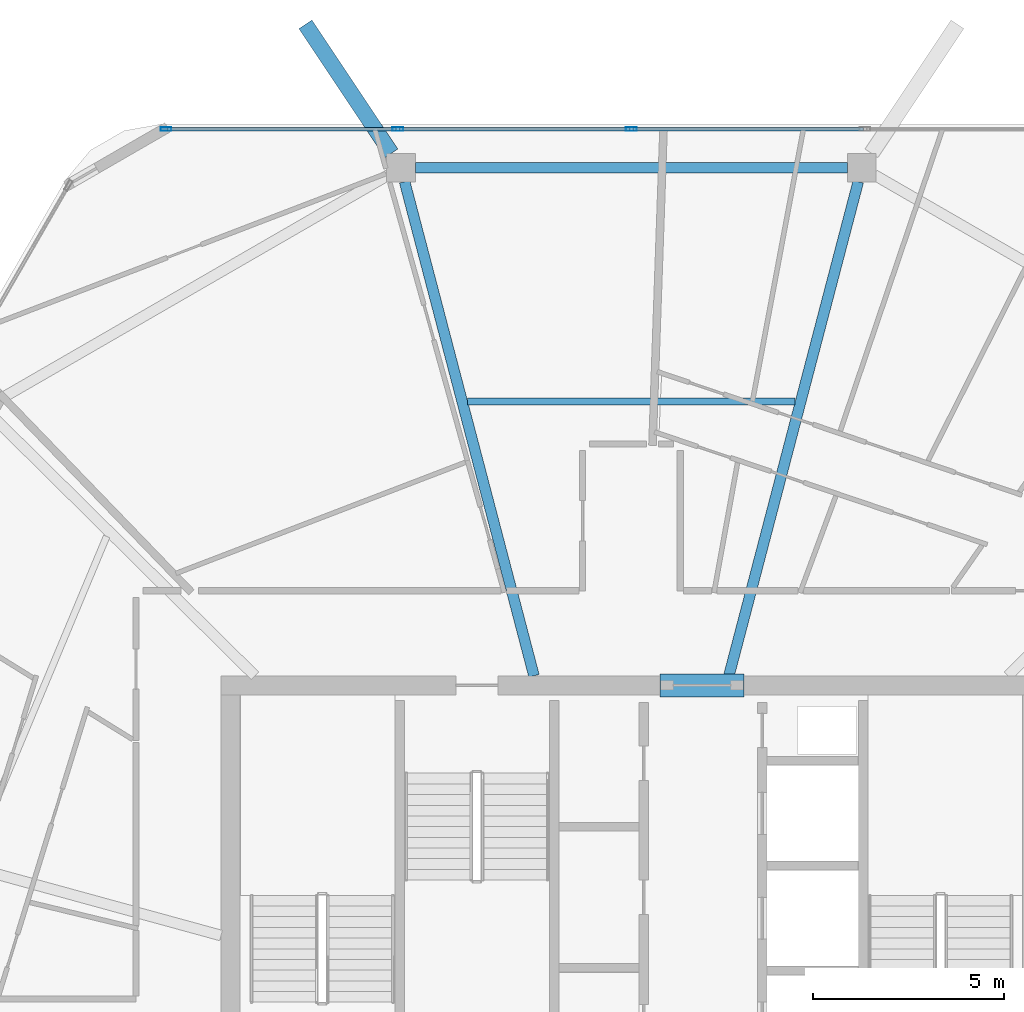
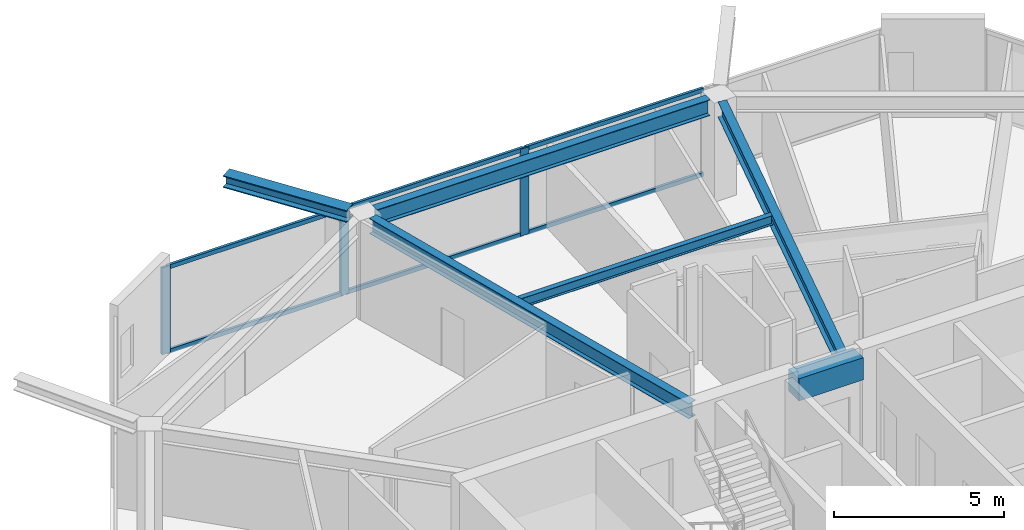
# One storey, part 8 of 18: 9 members, 6 beams, 1 element without a shape of its own.
"""IFC4 building model written with IfcOpenShell, lengths in metres."""

from ifc_helpers import new_model, si_unit, direction, frame, origin, origin_2d, place, context, subcontext, project, spatial, rectangle, hollow_rectangle, i_section, extrude, material, material_profile, profile_set, type_object, element, aggregate, save


model = new_model("IFC4")

# Units and contexts
model_context = context("Model", 3, precision=1e-05, world=origin(), true_north=direction((0.0, 1.0)))
body_context = subcontext(model_context, "Body", "Model", "MODEL_VIEW")
ifc_project = project(units=[si_unit("LENGTHUNIT", "METRE"), si_unit("AREAUNIT", "SQUARE_METRE"), si_unit("VOLUMEUNIT", "CUBIC_METRE"), si_unit("PLANEANGLEUNIT", "RADIAN"), si_unit("MASSUNIT", "GRAM", prefix="KILO")], contexts=[model_context])

# Site, building, storey
site_placement = place(None, origin())
site = spatial("IfcSite", under=ifc_project, at=site_placement, CompositionType="ELEMENT")
building_placement = place(site_placement, origin())
building = spatial("IfcBuilding", under=site, at=building_placement, Name="Zuhravey Tower", CompositionType="ELEMENT")
storey_placement = place(building_placement, frame((0.0, 0.0, 342.39990234375)))
storey = spatial("IfcBuildingStorey", under=building, at=storey_placement, Name="L87", CompositionType="ELEMENT", Elevation=342.39990234375)

# Beam
ifc_material_1 = material(Name="Concrete C50/60", Category="concrete")
ifc_material_profile_1 = material_profile(ifc_material_1, rectangle(XDim=0.60009765625, YDim=0.800048828125, at=origin_2d()), Name="RC-600x800")
ifc_profile_set_1 = profile_set([ifc_material_profile_1], Name="Concrete C50/60")
beam_type_1 = type_object("IfcBeamType", Name="Core Coupling Beam RC600x800", PredefinedType="LINTEL", material=ifc_profile_set_1)
beam_1_placement = place(storey_placement, frame((36.751953125, 41.5, 3.150146484375), z_axis=(1.0, 0.0, 0.0), x_axis=(0.0, 1.0, 0.0)))
element("IfcBeam", 1, at=beam_1_placement, inside=storey, type_object=beam_type_1, Name="L87 CB2 BM-L87-CB-N", PredefinedType="LINTEL", context=body_context, shape_type="SweptSolid", body=[
    extrude(rectangle(XDim=0.60009765625, YDim=0.800048828125, at=origin_2d()), origin(), (0.0, 0.0, 1.0), 2.196044921875),
])

# Curtain wall, members
ifc_material_2 = material(Name="Thermally broken anodised aluminium", Category="aluminium")
curtain_wall_type = type_object("IfcCurtainWallType", Name="Zone 3-4 High-Rise Curtain Wall CW4", PredefinedType="NOTDEFINED", material=ifc_material_2)
curtain_wall_placement = place(storey_placement, origin())
curtain_wall = element("IfcCurtainWall", 2, at=curtain_wall_placement, inside=storey, type_object=curtain_wall_type, Name="L87 CW4 CW-L87-F2-1", PredefinedType="NOTDEFINED")
ifc_material_3 = material(Name="Anodised aluminium", Category="aluminium")
ifc_material_profile_2 = material_profile(ifc_material_3, hollow_rectangle(XDim=0.090087890625, YDim=0.284912109375, WallThickness=0.0048828125, at=origin_2d()), Name="ALU-RHS-90x285x5")
ifc_profile_set_2 = profile_set([ifc_material_profile_2], Name="Anodised aluminium")
member_type_1 = type_object("IfcMemberType", Name="Curtain-Wall Mullion 90x180", PredefinedType="MULLION", material=ifc_profile_set_2)
member_1_placement = place(storey_placement, frame((23.8056640625, 56.07421875, 0.0), z_axis=(0.0, 0.0, 1.0), x_axis=(0.0, 1.0, 0.0)))
member_1 = element("IfcMember", 3, at=member_1_placement, type_object=member_type_1, Name="CW4 mullion 1", PredefinedType="MULLION", context=body_context, shape_type="SweptSolid", body=[
    extrude(hollow_rectangle(XDim=0.090087890625, YDim=0.284912109375, WallThickness=0.0048828125, at=origin_2d()), origin(), (0.0, 0.0, 1.0), 3.1220703125),
])
member_2_placement = place(storey_placement, frame((29.88037109375, 56.07421875, 0.0), z_axis=(0.0, 0.0, 1.0), x_axis=(0.0, 1.0, 0.0)))
member_2 = element("IfcMember", 4, at=member_2_placement, type_object=member_type_1, Name="CW4 mullion 2", PredefinedType="MULLION", context=body_context, shape_type="SweptSolid", body=[
    extrude(hollow_rectangle(XDim=0.090087890625, YDim=0.284912109375, WallThickness=0.0048828125, at=origin_2d()), origin(), (0.0, 0.0, 1.0), 3.1220703125),
])
member_3_placement = place(storey_placement, frame((36.0, 56.07421875, 0.0), z_axis=(0.0, 0.0, 1.0), x_axis=(0.0, 1.0, 0.0)))
member_3 = element("IfcMember", 5, at=member_3_placement, type_object=member_type_1, Name="CW4 mullion 3", PredefinedType="MULLION", context=body_context, shape_type="SweptSolid", body=[
    extrude(hollow_rectangle(XDim=0.090087890625, YDim=0.284912109375, WallThickness=0.0048828125, at=origin_2d()), origin(), (0.0, 0.0, 1.0), 3.1220703125),
])
ifc_material_profile_3 = material_profile(ifc_material_3, hollow_rectangle(XDim=0.090087890625, YDim=0.14990234375, WallThickness=0.0048828125, at=origin_2d()), Name="ALU-RHS-90x150x5")
ifc_profile_set_3 = profile_set([ifc_material_profile_3], Name="Anodised aluminium")
member_type_2 = type_object("IfcMemberType", Name="Curtain-Wall Transom 90x150", PredefinedType="USERDEFINED", material=ifc_profile_set_3)
member_4_placement = place(storey_placement, frame((23.8505859375, 56.07421875, 0.045166015625), z_axis=(1.0, 0.0, 0.0), x_axis=(0.0, 1.0, 0.0)))
member_4 = element("IfcMember", 6, at=member_4_placement, type_object=member_type_2, Name="CW4 transom 1.1", ObjectType="TRANSOM", PredefinedType="USERDEFINED", context=body_context, shape_type="SweptSolid", body=[
    extrude(hollow_rectangle(XDim=0.090087890625, YDim=0.14990234375, WallThickness=0.0048828125, at=origin_2d()), origin(), (0.0, 0.0, 1.0), 5.98486328125),
])
member_5_placement = place(storey_placement, frame((23.8505859375, 56.07421875, 3.0771484375), z_axis=(1.0, 0.0, 0.0), x_axis=(0.0, 1.0, 0.0)))
member_5 = element("IfcMember", 7, at=member_5_placement, type_object=member_type_2, Name="CW4 transom 1.2", ObjectType="TRANSOM", PredefinedType="USERDEFINED", context=body_context, shape_type="SweptSolid", body=[
    extrude(hollow_rectangle(XDim=0.090087890625, YDim=0.14990234375, WallThickness=0.0048828125, at=origin_2d()), origin(), (0.0, 0.0, 1.0), 5.98486328125),
])
member_6_placement = place(storey_placement, frame((29.92529296875, 56.07421875, 0.045166015625), z_axis=(1.0, 0.0, 0.0), x_axis=(0.0, 1.0, 0.0)))
member_6 = element("IfcMember", 8, at=member_6_placement, type_object=member_type_2, Name="CW4 transom 2.1", ObjectType="TRANSOM", PredefinedType="USERDEFINED", context=body_context, shape_type="SweptSolid", body=[
    extrude(hollow_rectangle(XDim=0.090087890625, YDim=0.14990234375, WallThickness=0.0048828125, at=origin_2d()), origin(), (0.0, 0.0, 1.0), 6.02978515625),
])
member_7_placement = place(storey_placement, frame((29.92529296875, 56.07421875, 3.0771484375), z_axis=(1.0, 0.0, 0.0), x_axis=(0.0, 1.0, 0.0)))
member_7 = element("IfcMember", 9, at=member_7_placement, type_object=member_type_2, Name="CW4 transom 2.2", ObjectType="TRANSOM", PredefinedType="USERDEFINED", context=body_context, shape_type="SweptSolid", body=[
    extrude(hollow_rectangle(XDim=0.090087890625, YDim=0.14990234375, WallThickness=0.0048828125, at=origin_2d()), origin(), (0.0, 0.0, 1.0), 6.02978515625),
])
member_8_placement = place(storey_placement, frame((36.044921875, 56.07421875, 0.045166015625), z_axis=(1.0, 0.0, 0.0), x_axis=(0.0, 1.0, 0.0)))
member_8 = element("IfcMember", 10, at=member_8_placement, type_object=member_type_2, Name="CW4 transom 3.1", ObjectType="TRANSOM", PredefinedType="USERDEFINED", context=body_context, shape_type="SweptSolid", body=[
    extrude(hollow_rectangle(XDim=0.090087890625, YDim=0.14990234375, WallThickness=0.0048828125, at=origin_2d()), origin(), (0.0, 0.0, 1.0), 6.02978515625),
])
member_9_placement = place(storey_placement, frame((36.044921875, 56.07421875, 3.0771484375), z_axis=(1.0, 0.0, 0.0), x_axis=(0.0, 1.0, 0.0)))
member_9 = element("IfcMember", 11, at=member_9_placement, type_object=member_type_2, Name="CW4 transom 3.2", ObjectType="TRANSOM", PredefinedType="USERDEFINED", context=body_context, shape_type="SweptSolid", body=[
    extrude(hollow_rectangle(XDim=0.090087890625, YDim=0.14990234375, WallThickness=0.0048828125, at=origin_2d()), origin(), (0.0, 0.0, 1.0), 6.02978515625),
])
aggregate(curtain_wall, [member_1, member_2, member_3, member_4, member_5, member_6, member_7, member_8, member_9])

# Beams
ifc_material_4 = material(Name="Steel SM460", Category="steel")
ifc_material_profile_4 = material_profile(ifc_material_4, i_section(OverallWidth=0.406982421875, OverallDepth=0.427978515625, WebThickness=0.02001953125, FlangeThickness=0.034912109375, at=origin_2d()), Name="H-428x407x20x35")
ifc_profile_set_4 = profile_set([ifc_material_profile_4], Name="Steel SM460")
beam_type_2 = type_object("IfcBeamType", Name="Exoskeleton Node Tie Beam H428x407", PredefinedType="BEAM", material=ifc_profile_set_4)
beam_2_placement = place(storey_placement, frame((29.709228515625, 55.4423828125, 3.336181640625), z_axis=(-0.554311580134, 0.832309240685, 0.0), x_axis=(-0.832309240685, -0.554311580134, 0.0)))
element("IfcBeam", 12, at=beam_2_placement, inside=storey, type_object=beam_type_2, Name="L87 Exoskeleton Node Tie NT1-04", PredefinedType="BEAM", context=body_context, shape_type="SweptSolid", body=[
    extrude(i_section(OverallWidth=0.406982421875, OverallDepth=0.427978515625, WebThickness=0.02001953125, FlangeThickness=0.034912109375, at=origin_2d()), origin(), (0.0, 0.0, 1.0), 4.06005859375),
])
ifc_material_5 = material(Name="Steel SM355", Category="steel")
ifc_material_profile_5 = material_profile(ifc_material_5, i_section(OverallWidth=0.280029296875, OverallDepth=0.580078125, WebThickness=0.011962890625, FlangeThickness=0.01904296875, at=origin_2d()), Name="H-580x280x12x19")
ifc_profile_set_5 = profile_set([ifc_material_profile_5], Name="Steel SM355")
beam_type_3 = type_object("IfcBeamType", Name="Perimeter Ring Beam H580x280", PredefinedType="BEAM", material=ifc_profile_set_5)
beam_3_placement = place(storey_placement, frame((41.66064453125, 55.064208984375, 3.260009765625), z_axis=(-1.0, 0.0, 0.0), x_axis=(0.0, -1.0, 0.0)))
element("IfcBeam", 13, at=beam_3_placement, inside=storey, type_object=beam_type_3, Name="L87 PB4 BM-L87-PB-03", PredefinedType="BEAM", context=body_context, shape_type="SweptSolid", body=[
    extrude(i_section(OverallWidth=0.280029296875, OverallDepth=0.580078125, WebThickness=0.011962890625, FlangeThickness=0.01904296875, at=origin_2d()), origin(), (0.0, 0.0, 1.0), 11.3212890625),
])
ifc_material_profile_6 = material_profile(ifc_material_5, i_section(OverallWidth=0.280029296875, OverallDepth=0.550048828125, WebThickness=0.010986328125, FlangeThickness=0.01806640625, at=origin_2d()), Name="H-550x280x11x18")
ifc_profile_set_6 = profile_set([ifc_material_profile_6], Name="Steel SM355")
beam_type_4 = type_object("IfcBeamType", Name="Radial Primary Girder H550x280", PredefinedType="BEAM", material=ifc_profile_set_6)
for number, where, z_axis, x_axis, name in (
    (14, (38.553466796875, 41.7529296875, 3.275146484375), (0.253282562653, 0.967392342049, 0.0), (-0.967392342049, 0.253282562653, 0.0), "L87 RG4 BM-L87-RAD-03"),
    (15, (33.446533203125, 41.7529296875, 3.275146484375), (-0.253282562653, 0.967392342049, 0.0), (-0.967392342049, -0.253282562653, 0.0), "L87 RG4 BM-L87-RAD-04"),
):
    element("IfcBeam", number, at=place(storey_placement, frame(where, z_axis=z_axis, x_axis=x_axis)), inside=storey, type_object=beam_type_4, Name=name, PredefinedType="BEAM", context=body_context, shape_type="SweptSolid", body=[
        extrude(i_section(OverallWidth=0.280029296875, OverallDepth=0.550048828125, WebThickness=0.010986328125, FlangeThickness=0.01806640625, at=origin_2d()), origin(), (0.0, 0.0, 1.0), 13.3818359375),
    ])
ifc_material_profile_7 = material_profile(ifc_material_5, i_section(OverallWidth=0.175048828125, OverallDepth=0.35009765625, WebThickness=0.007080078125, FlangeThickness=0.010986328125, at=origin_2d()), Name="H-350x175x7x11")
ifc_profile_set_7 = profile_set([ifc_material_profile_7], Name="Steel SM355")
beam_type_5 = type_object("IfcBeamType", Name="Secondary Floor Joist H350x175", PredefinedType="JOIST", material=ifc_profile_set_7)
beam_4_placement = place(storey_placement, frame((40.29150390625, 48.94091796875, 3.375), z_axis=(-1.0, 0.0, 0.0), x_axis=(0.0, -1.0, 0.0)))
element("IfcBeam", 16, at=beam_4_placement, inside=storey, type_object=beam_type_5, Name="L87 SJ3 BM-L87-SJ-03-1", PredefinedType="JOIST", context=body_context, shape_type="SweptSolid", body=[
    extrude(i_section(OverallWidth=0.175048828125, OverallDepth=0.35009765625, WebThickness=0.007080078125, FlangeThickness=0.010986328125, at=origin_2d()), origin(), (0.0, 0.0, 1.0), 8.5830078125),
])

save(model, "model.ifc")
